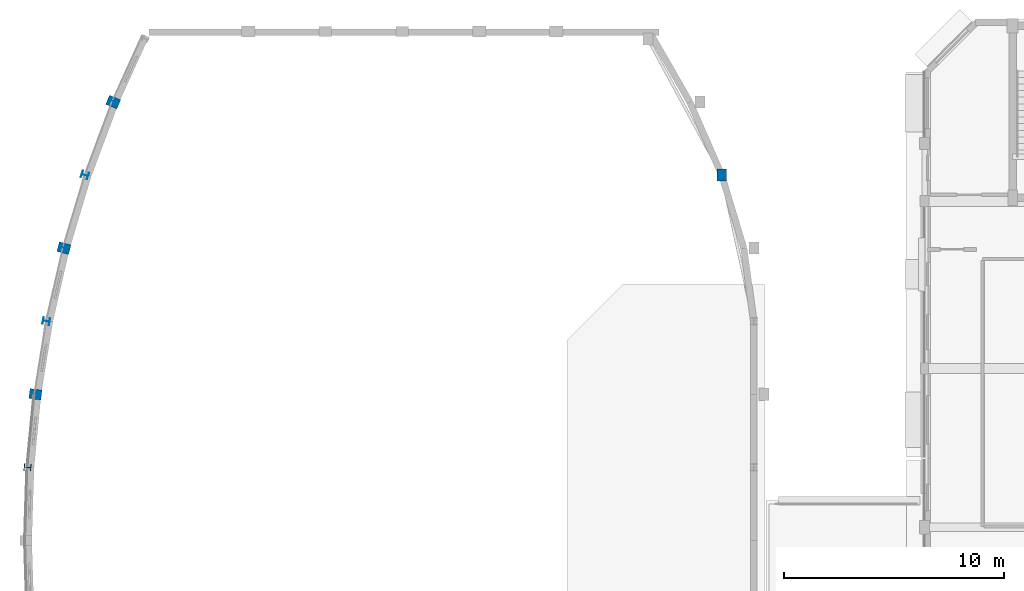
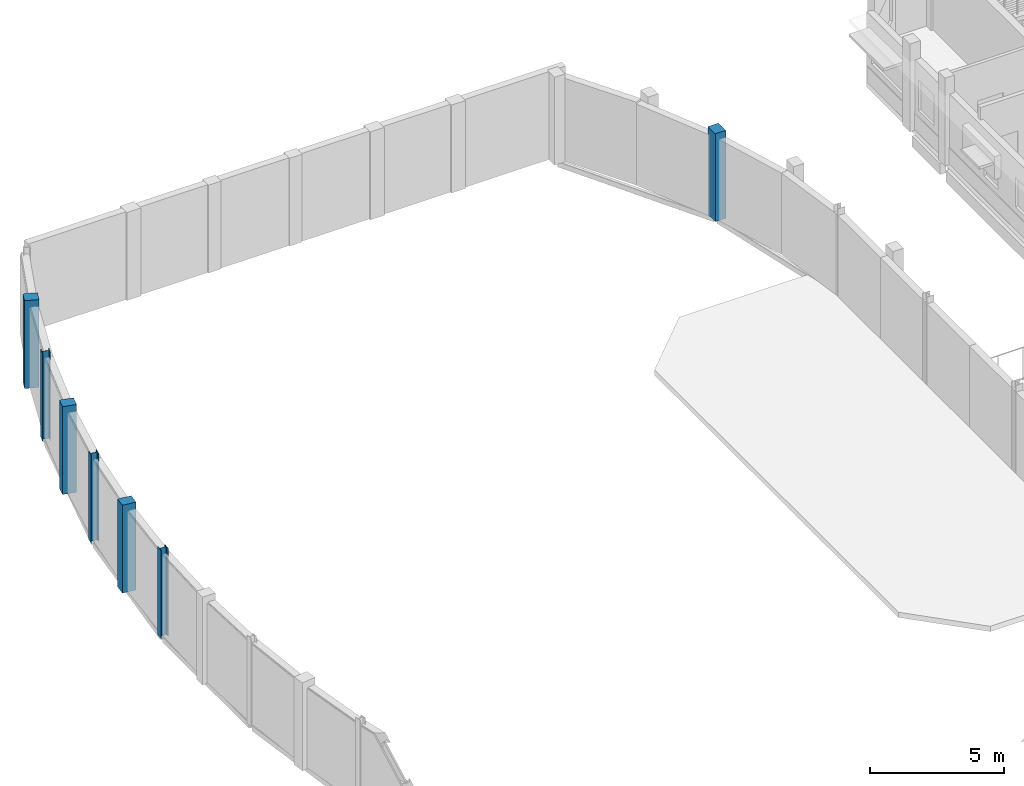
# One storey, part 4 of 89: 7 columns.
"""IFC4 building model written with IfcOpenShell, lengths in metres."""

from ifc_helpers import new_model, si_unit, direction, frame, origin, origin_2d, place, context, subcontext, project, spatial, rectangle, i_section, extrude, material, material_profile, profile_set, type_object, element, save


model = new_model("IFC4")

# Units and contexts
model_context = context("Model", 3, precision=1e-05, world=origin(), true_north=direction((0.0, 1.0)))
body_context = subcontext(model_context, "Body", "Model", "MODEL_VIEW")
ifc_project = project(units=[si_unit("LENGTHUNIT", "METRE"), si_unit("AREAUNIT", "SQUARE_METRE"), si_unit("VOLUMEUNIT", "CUBIC_METRE"), si_unit("PLANEANGLEUNIT", "RADIAN"), si_unit("MASSUNIT", "GRAM", prefix="KILO")], contexts=[model_context])

# Site, building, storey
site_placement = place(None, origin())
site = spatial("IfcSite", under=ifc_project, at=site_placement, CompositionType="ELEMENT")
building_placement = place(site_placement, origin())
building = spatial("IfcBuilding", under=site, at=building_placement, Name="Kelanivale Promenade Academy", CompositionType="ELEMENT")
storey_placement = place(building_placement, frame((0.0, 0.0, 12.199951171875)))
storey = spatial("IfcBuildingStorey", under=building, at=storey_placement, Name="L03", CompositionType="ELEMENT", Elevation=12.199951171875)

# Columns
ifc_material_1 = material(Name="Concrete C40/50", Category="concrete")
ifc_material_profile_1 = material_profile(ifc_material_1, rectangle(XDim=0.449951171875, YDim=0.550048828125, at=origin_2d()), Name="RC-PIL 450x550")
ifc_profile_set_1 = profile_set([ifc_material_profile_1], Name="Concrete C40/50")
column_type_1 = type_object("IfcColumnType", Name="PL-17 RC-PIL 450x550", PredefinedType="PILASTER", material=ifc_profile_set_1)
for number, where, z_axis, x_axis, name in (
    (1, (2.864013671875, 62.8291015625, 0.0), (0.0, 0.0, 1.0), (0.12741083733, 0.991850028246, 0.0), "Column PL-17 at (2.9, 62.8) L03"),
    (2, (4.157958984375, 69.45703125, 0.0), (0.0, 0.0, 1.0), (0.2549394954, 0.966957007154, 0.0), "Column PL-17 at (4.2, 69.5) L03"),
    (3, (6.39306640625, 76.0859375, 0.0), (0.0, 0.0, 1.0), (0.382360914263, 0.92401305794, 0.0), "Column PL-17 at (6.4, 76.1) L03"),
    (4, (34.0, 72.77099609375, 0.0), (0.0, 0.0, 1.0), (1.0, 0.0, 0.0), "Column PL-17 at (34.0, 72.8) L03"),
):
    element("IfcColumn", number, at=place(storey_placement, frame(where, z_axis=z_axis, x_axis=x_axis)), inside=storey, type_object=column_type_1, Name=name, PredefinedType="PILASTER", context=body_context, shape_type="SweptSolid", body=[
        extrude(rectangle(XDim=0.449951171875, YDim=0.550048828125, at=origin_2d()), origin(), (0.0, 0.0, 1.0), 4.0),
    ])
ifc_material_2 = material(Name="Steel S355", Category="steel")
ifc_material_profile_2 = material_profile(ifc_material_2, i_section(OverallWidth=0.307373046875, OverallDepth=0.314453125, WebThickness=0.011962890625, FlangeThickness=0.018798828125, FilletRadius=0.01513671875, at=origin_2d()), Name="UC 305x305x118")
ifc_profile_set_2 = profile_set([ifc_material_profile_2], Name="Steel S355")
column_type_2 = type_object("IfcColumnType", Name="SC-04 UC 305x305x118", PredefinedType="COLUMN", material=ifc_profile_set_2)
for number, where, z_axis, x_axis, name in (
    (5, (2.506103515625, 59.513916015625, 0.0), (0.0, 0.0, 1.0), (0.063661438132, 0.99797155335, 0.0), "Column SC-04 at (2.5, 59.5) L03"),
    (6, (3.35888671875, 66.14306640625, 0.0), (0.0, 0.0, 1.0), (0.191151636272, 0.981560518741, 0.0), "Column SC-04 at (3.4, 66.1) L03"),
    (7, (5.111083984375, 72.77099609375, 0.0), (0.0, 0.0, 1.0), (0.318628456287, 0.947879690069, 0.0), "Column SC-04 at (5.1, 72.8) L03"),
):
    element("IfcColumn", number, at=place(storey_placement, frame(where, z_axis=z_axis, x_axis=x_axis)), inside=storey, type_object=column_type_2, Name=name, PredefinedType="COLUMN", context=body_context, shape_type="SweptSolid", body=[
        extrude(i_section(OverallWidth=0.307373046875, OverallDepth=0.314453125, WebThickness=0.011962890625, FlangeThickness=0.018798828125, FilletRadius=0.01513671875, at=origin_2d()), origin(), (0.0, 0.0, 1.0), 4.0),
    ])

save(model, "model.ifc")
